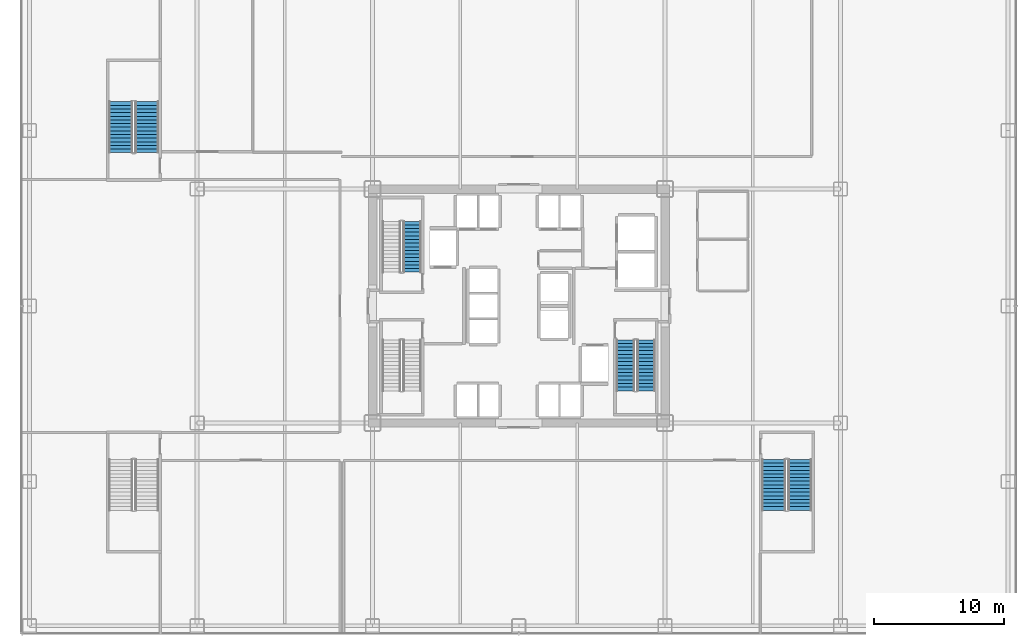
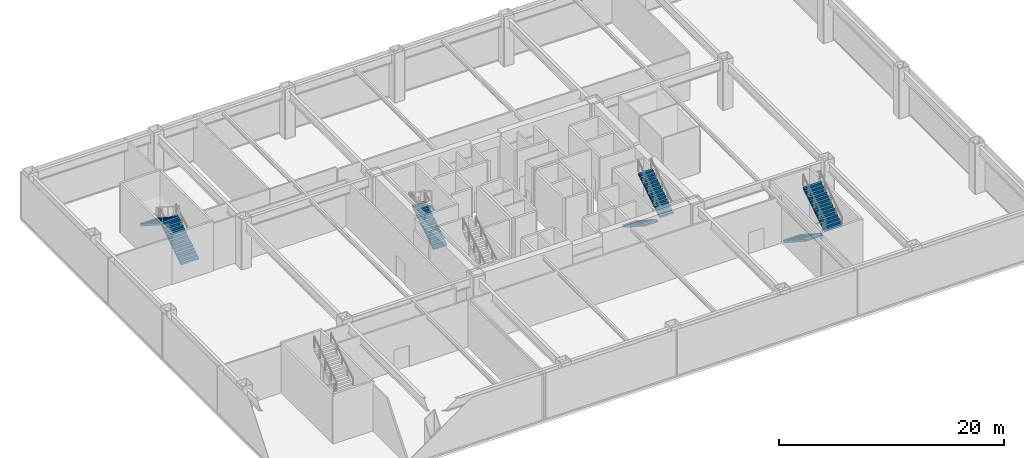
# One storey, part 20 of 24: 7 stair flights, 4 elements without a shape of their own.
"""IFC4 building model written with IfcOpenShell, lengths in metres."""

from ifc_helpers import new_model, si_unit, direction, frame, origin, place, context, subcontext, project, spatial, polyline, outline, extrude, source, transform, mapped, material, type_object, element, aggregate, save


model = new_model("IFC4")

# Units and contexts
model_context = context("Model", 3, precision=1e-05, world=origin(), true_north=direction((0.0, 1.0)))
body_context = subcontext(model_context, "Body", "Model", "MODEL_VIEW")
ifc_project = project(units=[si_unit("LENGTHUNIT", "METRE"), si_unit("AREAUNIT", "SQUARE_METRE"), si_unit("VOLUMEUNIT", "CUBIC_METRE"), si_unit("PLANEANGLEUNIT", "RADIAN"), si_unit("MASSUNIT", "GRAM", prefix="KILO")], contexts=[model_context])

# Site, building, storey
site_placement = place(None, origin())
site = spatial("IfcSite", under=ifc_project, at=site_placement, CompositionType="ELEMENT")
building_placement = place(site_placement, origin())
building = spatial("IfcBuilding", under=site, at=building_placement, Name="Nefas-Gora Pilgrimage Tower", CompositionType="ELEMENT")
storey_placement = place(building_placement, frame((0.0, 0.0, 6.0)))
storey = spatial("IfcBuildingStorey", under=building, at=storey_placement, Name="L01", CompositionType="ELEMENT", Elevation=6.0)

# Stair, stair flight
ifc_material = material(Name="Concrete C45/55", Category="concrete")
stair_type_1 = type_object("IfcStairType", Name="STR-1400-R1800", PredefinedType="HALF_TURN_STAIR", material=ifc_material)
stair_1_placement = place(storey_placement, origin())
stair_1 = element("IfcStair", 1, at=stair_1_placement, inside=storey, type_object=stair_type_1, Name="L01 Pressurised Tower Exit Stair ST-01", PredefinedType="HALF_TURN_STAIR")
stair_flight_type_1 = type_object("IfcStairFlightType", Name="STF-1400-R1800", PredefinedType="STRAIGHT", material=ifc_material)
shared_shape_1 = source(origin(), body_context, "Body", "SweptSolid", [
    extrude(outline(polyline([(0.0, 0.0), (0.0, 0.179931640625), (0.280029296875, 0.179931640625), (0.280029296875, 0.360107421875), (0.56005859375, 0.360107421875), (0.56005859375, 0.5400390625), (0.840087890625, 0.5400390625), (0.840087890625, 0.719970703125), (1.1201171875, 0.719970703125), (1.1201171875, 0.89990234375), (1.39990234375, 0.89990234375), (1.39990234375, 1.080078125), (1.679931640625, 1.080078125), (1.679931640625, 1.260009765625), (1.9599609375, 1.260009765625), (1.9599609375, 1.43994140625), (2.239990234375, 1.43994140625), (2.239990234375, 1.6201171875), (2.52001953125, 1.6201171875), (2.52001953125, 1.800048828125), (2.800048828125, 1.800048828125), (2.800048828125, 1.97998046875), (3.080078125, 1.97998046875), (3.080078125, 2.159912109375), (3.360107421875, 2.159912109375), (3.360107421875, 2.340087890625), (3.639892578125, 2.340087890625), (3.639892578125, 2.52001953125), (3.919921875, 2.52001953125), (3.919921875, 2.699951171875), (3.919921875, 2.341796875), (0.277099609375, 0.0), (0.0, 0.0)])), frame((0.0, 0.699951171875, 0.0), z_axis=(0.0, -1.0, 0.0), x_axis=(1.0, 0.0, 0.0)), (0.0, 0.0, 1.0), 1.39990234375),
])
stair_flight_1_placement = place(storey_placement, frame((-8.199951171875, 2.60009765625, 0.0), z_axis=(0.0, 0.0, 1.0), x_axis=(0.0, 1.0, 0.0)))
stair_flight_1 = element("IfcStairFlight", 2, at=stair_flight_1_placement, type_object=stair_flight_type_1, Name="ST-01 flight 1", NumberOfRisers=15, NumberOfTreads=14, PredefinedType="STRAIGHT", RiserHeight=0.18, TreadLength=0.28, context=body_context, shape_type="MappedRepresentation", body=[
    mapped(shared_shape_1, transform((0.0, 0.0, 0.0), x_axis=(1.0, 0.0, 0.0), y_axis=(0.0, 1.0, 0.0), z_axis=(0.0, 0.0, 1.0), scale=1.0)),
])
aggregate(stair_1, [stair_flight_1])

# Stair, stair flights
stair_2_placement = place(storey_placement, origin())
stair_2 = element("IfcStair", 3, at=stair_2_placement, inside=storey, type_object=stair_type_1, Name="L01 Pressurised Tower Exit Stair ST-02", PredefinedType="HALF_TURN_STAIR")
stair_flight_2_placement = place(storey_placement, frame((8.199951171875, -2.60009765625, 0.0), z_axis=(0.0, 0.0, 1.0), x_axis=(0.0, -1.0, 0.0)))
stair_flight_2 = element("IfcStairFlight", 4, at=stair_flight_2_placement, type_object=stair_flight_type_1, Name="ST-02 flight 1", NumberOfRisers=15, NumberOfTreads=14, PredefinedType="STRAIGHT", RiserHeight=0.18, TreadLength=0.28, context=body_context, shape_type="MappedRepresentation", body=[
    mapped(shared_shape_1, transform((0.0, 0.0, 0.0), x_axis=(1.0, 0.0, 0.0), y_axis=(0.0, 1.0, 0.0), z_axis=(0.0, 0.0, 1.0), scale=1.0)),
])
stair_flight_3_placement = place(storey_placement, frame((9.800048828125, -6.52001953125, 2.699951171875), z_axis=(0.0, 0.0, 1.0), x_axis=(0.0, 1.0, 0.0)))
stair_flight_3 = element("IfcStairFlight", 5, at=stair_flight_3_placement, type_object=stair_flight_type_1, Name="ST-02 flight 2", NumberOfRisers=15, NumberOfTreads=14, PredefinedType="STRAIGHT", RiserHeight=0.18, TreadLength=0.28, context=body_context, shape_type="MappedRepresentation", body=[
    mapped(shared_shape_1, transform((0.0, 0.0, 0.0), x_axis=(1.0, 0.0, 0.0), y_axis=(0.0, 1.0, 0.0), z_axis=(0.0, 0.0, 1.0), scale=1.0)),
])
aggregate(stair_2, [stair_flight_2, stair_flight_3])

stair_type_2 = type_object("IfcStairType", Name="STR-1820-R1800", PredefinedType="HALF_TURN_STAIR", material=ifc_material)
stair_3_placement = place(storey_placement, origin())
stair_3 = element("IfcStair", 6, at=stair_3_placement, inside=storey, type_object=stair_type_2, Name="L01 Podium Exit Stair ST-04", PredefinedType="HALF_TURN_STAIR")
stair_flight_type_2 = type_object("IfcStairFlightType", Name="STF-1820-R1800", PredefinedType="STRAIGHT", material=ifc_material)
shared_shape_2 = source(origin(), body_context, "Body", "SweptSolid", [
    extrude(outline(polyline([(0.0, 0.0), (0.0, 0.179931640625), (0.280029296875, 0.179931640625), (0.280029296875, 0.360107421875), (0.56005859375, 0.360107421875), (0.56005859375, 0.5400390625), (0.840087890625, 0.5400390625), (0.840087890625, 0.719970703125), (1.1201171875, 0.719970703125), (1.1201171875, 0.89990234375), (1.39990234375, 0.89990234375), (1.39990234375, 1.080078125), (1.679931640625, 1.080078125), (1.679931640625, 1.260009765625), (1.9599609375, 1.260009765625), (1.9599609375, 1.43994140625), (2.239990234375, 1.43994140625), (2.239990234375, 1.6201171875), (2.52001953125, 1.6201171875), (2.52001953125, 1.800048828125), (2.800048828125, 1.800048828125), (2.800048828125, 1.97998046875), (3.080078125, 1.97998046875), (3.080078125, 2.159912109375), (3.360107421875, 2.159912109375), (3.360107421875, 2.340087890625), (3.639892578125, 2.340087890625), (3.639892578125, 2.52001953125), (3.919921875, 2.52001953125), (3.919921875, 2.699951171875), (3.919921875, 2.341796875), (0.277099609375, 0.0), (0.0, 0.0)])), frame((0.0, 0.91015625, 0.0), z_axis=(0.0, -1.0, 0.0), x_axis=(1.0, 0.0, 0.0)), (0.0, 0.0, 1.0), 1.820068359375),
])
stair_flight_4_placement = place(storey_placement, frame((-28.610107421875, 11.800048828125, 0.0), z_axis=(0.0, 0.0, 1.0), x_axis=(0.0, 1.0, 0.0)))
stair_flight_4 = element("IfcStairFlight", 7, at=stair_flight_4_placement, type_object=stair_flight_type_2, Name="ST-04 flight 1", NumberOfRisers=15, NumberOfTreads=14, PredefinedType="STRAIGHT", RiserHeight=0.18, TreadLength=0.28, context=body_context, shape_type="MappedRepresentation", body=[
    mapped(shared_shape_2, transform((0.0, 0.0, 0.0), x_axis=(1.0, 0.0, 0.0), y_axis=(0.0, 1.0, 0.0), z_axis=(0.0, 0.0, 1.0), scale=1.0)),
])
stair_flight_5_placement = place(storey_placement, frame((-30.6298828125, 15.719970703125, 2.699951171875), z_axis=(0.0, 0.0, 1.0), x_axis=(0.0, -1.0, 0.0)))
stair_flight_5 = element("IfcStairFlight", 8, at=stair_flight_5_placement, type_object=stair_flight_type_2, Name="ST-04 flight 2", NumberOfRisers=15, NumberOfTreads=14, PredefinedType="STRAIGHT", RiserHeight=0.18, TreadLength=0.28, context=body_context, shape_type="MappedRepresentation", body=[
    mapped(shared_shape_2, transform((0.0, 0.0, 0.0), x_axis=(1.0, 0.0, 0.0), y_axis=(0.0, 1.0, 0.0), z_axis=(0.0, 0.0, 1.0), scale=1.0)),
])
aggregate(stair_3, [stair_flight_4, stair_flight_5])

stair_4_placement = place(storey_placement, origin())
stair_4 = element("IfcStair", 9, at=stair_4_placement, inside=storey, type_object=stair_type_2, Name="L01 Podium Exit Stair ST-06", PredefinedType="HALF_TURN_STAIR")
stair_flight_6_placement = place(storey_placement, frame((19.610107421875, -11.800048828125, 0.0), z_axis=(0.0, 0.0, 1.0), x_axis=(0.0, -1.0, 0.0)))
stair_flight_6 = element("IfcStairFlight", 10, at=stair_flight_6_placement, type_object=stair_flight_type_2, Name="ST-06 flight 1", NumberOfRisers=15, NumberOfTreads=14, PredefinedType="STRAIGHT", RiserHeight=0.18, TreadLength=0.28, context=body_context, shape_type="MappedRepresentation", body=[
    mapped(shared_shape_2, transform((0.0, 0.0, 0.0), x_axis=(1.0, 0.0, 0.0), y_axis=(0.0, 1.0, 0.0), z_axis=(0.0, 0.0, 1.0), scale=1.0)),
])
stair_flight_7_placement = place(storey_placement, frame((21.6298828125, -15.719970703125, 2.699951171875), z_axis=(0.0, 0.0, 1.0), x_axis=(0.0, 1.0, 0.0)))
stair_flight_7 = element("IfcStairFlight", 11, at=stair_flight_7_placement, type_object=stair_flight_type_2, Name="ST-06 flight 2", NumberOfRisers=15, NumberOfTreads=14, PredefinedType="STRAIGHT", RiserHeight=0.18, TreadLength=0.28, context=body_context, shape_type="MappedRepresentation", body=[
    mapped(shared_shape_2, transform((0.0, 0.0, 0.0), x_axis=(1.0, 0.0, 0.0), y_axis=(0.0, 1.0, 0.0), z_axis=(0.0, 0.0, 1.0), scale=1.0)),
])
aggregate(stair_4, [stair_flight_6, stair_flight_7])

save(model, "model.ifc")
